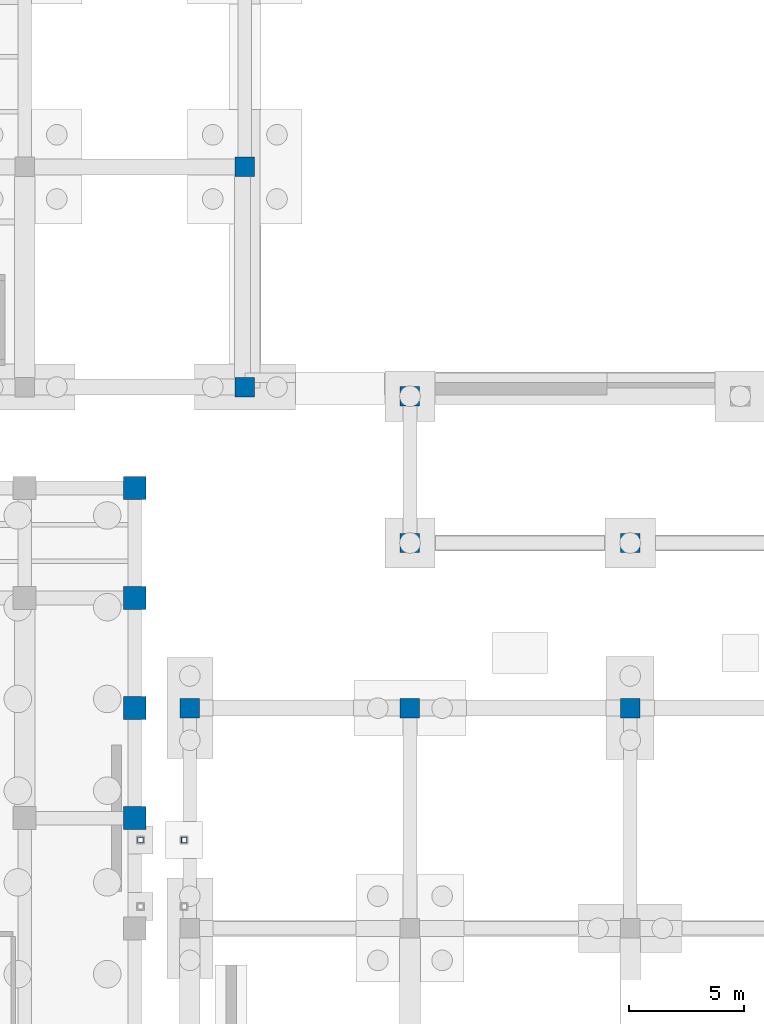
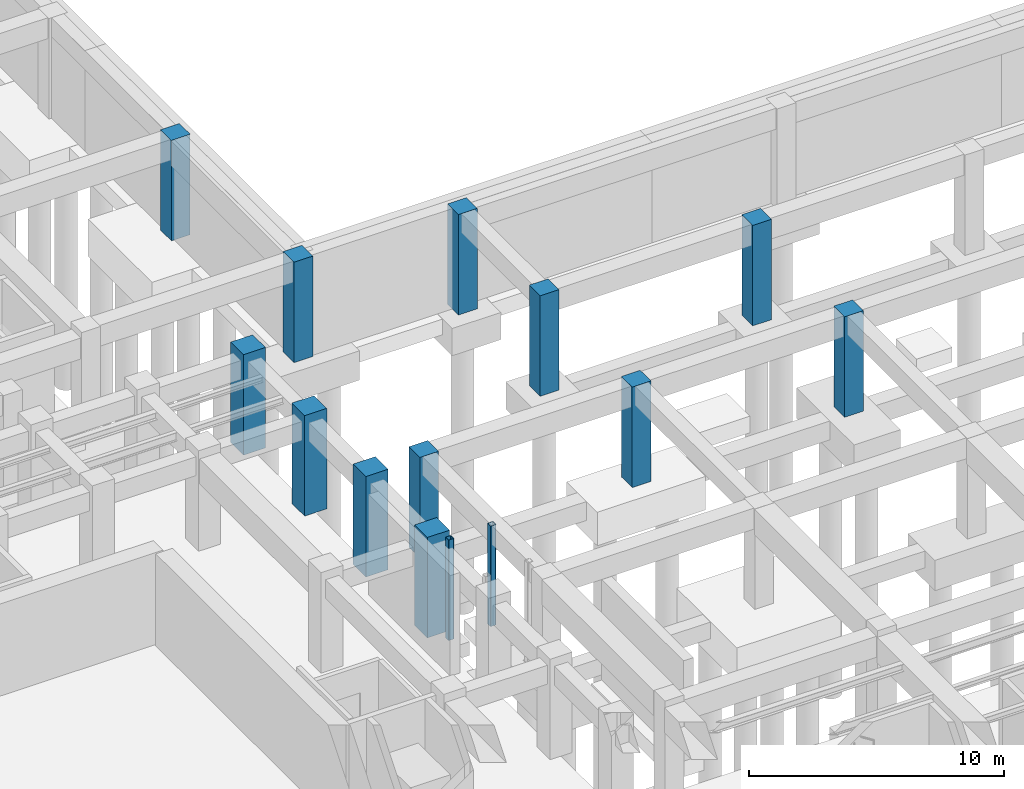
# One storey, part 19 of 56: 14 columns.
"""IFC4 building model written with IfcOpenShell, lengths in metres."""

from ifc_helpers import new_model, si_unit, direction, frame, origin, origin_2d, place, context, subcontext, project, spatial, rectangle, hollow_rectangle, extrude, material, material_profile, profile_set, type_object, element, save


model = new_model("IFC4")

# Units and contexts
model_context = context("Model", 3, precision=1e-05, world=origin(), true_north=direction((0.0, 1.0)))
body_context = subcontext(model_context, "Body", "Model", "MODEL_VIEW")
ifc_project = project(units=[si_unit("LENGTHUNIT", "METRE"), si_unit("AREAUNIT", "SQUARE_METRE"), si_unit("VOLUMEUNIT", "CUBIC_METRE"), si_unit("PLANEANGLEUNIT", "RADIAN"), si_unit("MASSUNIT", "GRAM", prefix="KILO")], contexts=[model_context])

# Site, building, storey
site_placement = place(None, origin())
site = spatial("IfcSite", under=ifc_project, at=site_placement, CompositionType="ELEMENT")
building_placement = place(site_placement, origin())
building = spatial("IfcBuilding", under=site, at=building_placement, Name="Mavantir Sound Aquarium", CompositionType="ELEMENT")
storey_placement = place(building_placement, frame((0.0, 0.0, -9.60009765625)))
storey = spatial("IfcBuildingStorey", under=building, at=storey_placement, Name="B2", CompositionType="ELEMENT", Elevation=-9.60009765625)

# Columns
ifc_material_1 = material(Name="Concrete C40/50", Category="concrete")
ifc_material_profile_1 = material_profile(ifc_material_1, rectangle(XDim=1.0, YDim=1.0, at=origin_2d()), Name="RC 1000X1000")
ifc_profile_set_1 = profile_set([ifc_material_profile_1], Name="Concrete C40/50")
column_type_1 = type_object("IfcColumnType", Name="COL-RC1000-I", PredefinedType="COLUMN", material=ifc_profile_set_1)
for number, where, z_axis, x_axis, name in (
    (1, (33.60009765625, 64.800048828125, 0.0), (0.0, 0.0, 1.0), (1.0, 0.0, 0.0), "B2 column RC-C10 (V1)"),
    (2, (33.60009765625, 69.60009765625, 0.0), (0.0, 0.0, 1.0), (1.0, 0.0, 0.0), "B2 column RC-C10 (V1)"),
    (3, (33.60009765625, 74.39990234375, 0.0), (0.0, 0.0, 1.0), (1.0, 0.0, 0.0), "B2 column RC-C10 (V1)"),
    (4, (33.60009765625, 79.199951171875, 0.0), (0.0, 0.0, 1.0), (1.0, 0.0, 0.0), "B2 column RC-C10 (V1)"),
):
    element("IfcColumn", number, at=place(storey_placement, frame(where, z_axis=z_axis, x_axis=x_axis)), inside=storey, type_object=column_type_1, Name=name, PredefinedType="COLUMN", context=body_context, shape_type="SweptSolid", body=[
        extrude(rectangle(XDim=1.0, YDim=1.0, at=origin_2d()), origin(), (0.0, 0.0, 1.0), 4.800048828125),
    ])
ifc_material_profile_2 = material_profile(ifc_material_1, rectangle(XDim=0.85009765625, YDim=0.85009765625, at=origin_2d()), Name="RC 850X850")
ifc_profile_set_2 = profile_set([ifc_material_profile_2], Name="Concrete C40/50")
column_type_2 = type_object("IfcColumnType", Name="COL-RC850-I", PredefinedType="COLUMN", material=ifc_profile_set_2)
for number, where, z_axis, x_axis, name in (
    (5, (36.0, 69.60009765625, 0.0), (0.0, 0.0, 1.0), (1.0, 0.0, 0.0), "B2 column RC-C85 (V2)"),
    (6, (45.60009765625, 69.60009765625, 0.0), (0.0, 0.0, 1.0), (1.0, 0.0, 0.0), "B2 column RC-C85 (V2)"),
    (7, (55.199951171875, 69.60009765625, 0.0), (0.0, 0.0, 1.0), (1.0, 0.0, 0.0), "B2 column RC-C85 (V2)"),
    (8, (38.39990234375, 83.60009765625, 0.0), (0.0, 0.0, 1.0), (1.0, 0.0, 0.0), "B2 column RC-C85 (V5)"),
    (9, (38.39990234375, 93.199951171875, 0.0), (0.0, 0.0, 1.0), (1.0, 0.0, 0.0), "B2 column RC-C85 (V5)"),
    (10, (45.60009765625, 76.800048828125, 0.0), (0.0, 0.0, 1.0), (1.0, 0.0, 0.0), "B2 column RC-C85 (COURT)"),
    (11, (55.199951171875, 76.800048828125, 0.0), (0.0, 0.0, 1.0), (1.0, 0.0, 0.0), "B2 column RC-C85 (COURT)"),
    (12, (45.60009765625, 83.199951171875, 0.0), (0.0, 0.0, 1.0), (1.0, 0.0, 0.0), "B2 column RC-C85 (COURT)"),
):
    element("IfcColumn", number, at=place(storey_placement, frame(where, z_axis=z_axis, x_axis=x_axis)), inside=storey, type_object=column_type_2, Name=name, PredefinedType="COLUMN", context=body_context, shape_type="SweptSolid", body=[
        extrude(rectangle(XDim=0.85009765625, YDim=0.85009765625, at=origin_2d()), origin(), (0.0, 0.0, 1.0), 4.800048828125),
    ])
ifc_material_2 = material(Name="Hollow Structural Steel ASTM A500 GrC", Category="steel")
ifc_material_profile_3 = material_profile(ifc_material_2, hollow_rectangle(XDim=0.25, YDim=0.25, WallThickness=0.012451171875, InnerFilletRadius=0.012451171875, OuterFilletRadius=0.02490234375, at=origin_2d()), Name="SHS 250X250X12.5")
ifc_profile_set_3 = profile_set([ifc_material_profile_3], Name="Hollow Structural Steel ASTM A500 GrC")
column_type_3 = type_object("IfcColumnType", Name="COL-SHS250-E", PredefinedType="COLUMN", material=ifc_profile_set_3)
for number, where, z_axis, x_axis, name in (
    (13, (33.85009765625, 63.85009765625, 0.0), (0.0, 0.0, 1.0), (1.0, 0.0, 0.0), "Bridge support column 1.2 (B2)"),
    (14, (35.75, 63.85009765625, 0.0), (0.0, 0.0, 1.0), (1.0, 0.0, 0.0), "Bridge support column 1.4 (B2)"),
):
    element("IfcColumn", number, at=place(storey_placement, frame(where, z_axis=z_axis, x_axis=x_axis)), inside=storey, type_object=column_type_3, Name=name, PredefinedType="COLUMN", context=body_context, shape_type="SweptSolid", body=[
        extrude(hollow_rectangle(XDim=0.25, YDim=0.25, WallThickness=0.012451171875, InnerFilletRadius=0.012451171875, OuterFilletRadius=0.02490234375, at=origin_2d()), origin(), (0.0, 0.0, 1.0), 4.800048828125),
    ])

save(model, "model.ifc")
